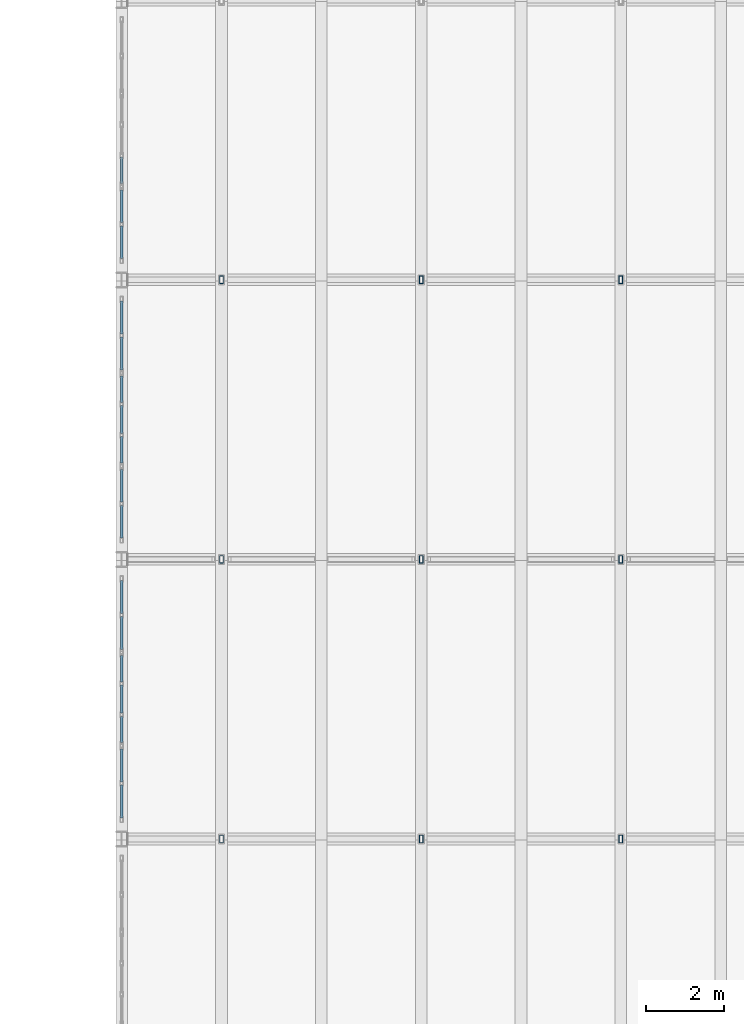
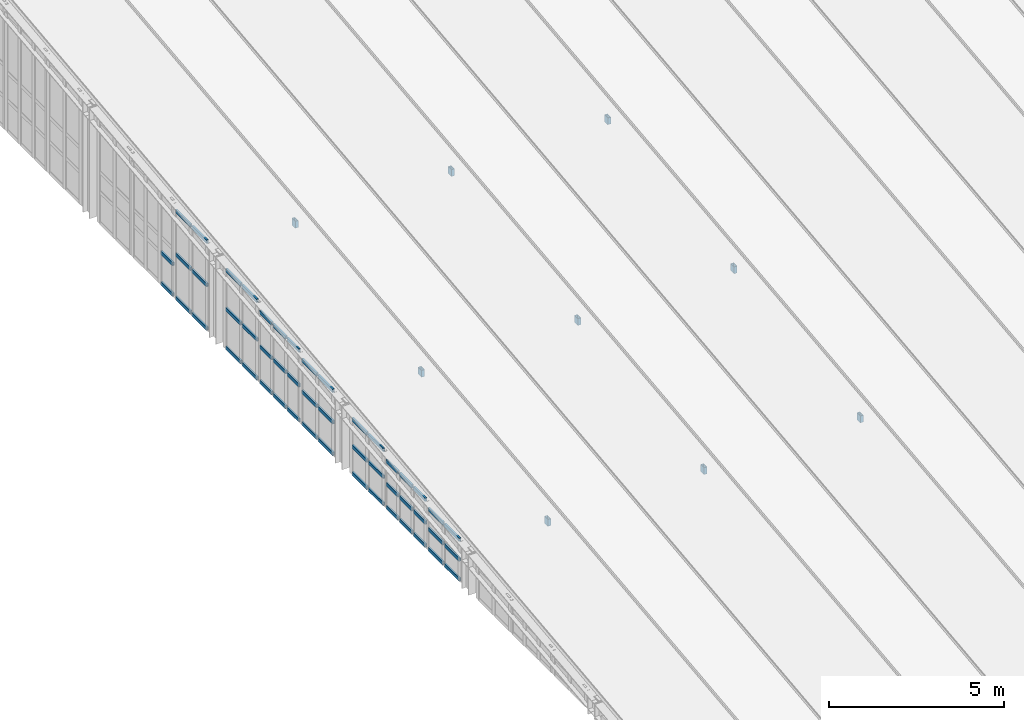
# One storey, part 22 of 48: 59 members, 8 elements without a shape of their own.
"""IFC4 building model written with IfcOpenShell, lengths in metres."""

from ifc_helpers import new_model, si_unit, direction, frame, origin, origin_2d, place, context, subcontext, project, spatial, hollow_rectangle, extrude, material, layer, layer_set, material_profile, profile_set, type_object, element, aggregate, save


model = new_model("IFC4")

# Units and contexts
model_context = context("Model", 3, precision=1e-05, world=origin(), true_north=direction((0.0, 1.0)))
body_context = subcontext(model_context, "Body", "Model", "MODEL_VIEW")
ifc_project = project(units=[si_unit("LENGTHUNIT", "METRE"), si_unit("AREAUNIT", "SQUARE_METRE"), si_unit("VOLUMEUNIT", "CUBIC_METRE"), si_unit("PLANEANGLEUNIT", "RADIAN"), si_unit("MASSUNIT", "GRAM", prefix="KILO"), si_unit("THERMODYNAMICTEMPERATUREUNIT", "KELVIN"), si_unit("POWERUNIT", "WATT")], contexts=[model_context])

# Site, building, storey
site_placement = place(None, origin())
site = spatial("IfcSite", under=ifc_project, at=site_placement, CompositionType="ELEMENT")
building_placement = place(site_placement, origin())
building = spatial("IfcBuilding", under=site, at=building_placement, Name="Kaldorven Railside Theatre", CompositionType="ELEMENT")
storey_placement = place(building_placement, frame((0.0, 0.0, 18.89990234375)))
storey = spatial("IfcBuildingStorey", under=building, at=storey_placement, Name="L04", CompositionType="ELEMENT", Elevation=18.89990234375)

# Curtain wall, members
ifc_material_1 = material(Name="Low-E laminated solar-control glass", Category="glass")
ifc_layer_1 = layer(ifc_material_1, 0.159912109375, Name="Low-E laminated solar-control glass")
ifc_layer_set_1 = layer_set([ifc_layer_1], Name="Low-E laminated solar-control glass")
curtain_wall_type_1 = type_object("IfcCurtainWallType", Name="CWT-29", PredefinedType="USERDEFINED", material=ifc_layer_set_1)
curtain_wall_1_placement = place(storey_placement, origin())
curtain_wall_1 = element("IfcCurtainWall", 1, at=curtain_wall_1_placement, inside=storey, type_object=curtain_wall_type_1, Name="Main Theatre West Eave Clerestory CWG-005", ObjectType="FLUTED GLAZING", PredefinedType="USERDEFINED")
ifc_material_2 = material(Name="Anodised bronze aluminium", Category="aluminium")
ifc_material_profile_1 = material_profile(ifc_material_2, hollow_rectangle(XDim=0.06005859375, YDim=0.1201171875, WallThickness=0.0048828125, at=origin_2d()), Name="RHS 120x60x5")
ifc_profile_set_1 = profile_set([ifc_material_profile_1], Name="Anodised bronze aluminium")
member_type_1 = type_object("IfcMemberType", Name="CWT-120", PredefinedType="USERDEFINED", material=ifc_profile_set_1)
member_1_placement = place(storey_placement, frame((87.199951171875, 55.7451171875, 0.050048828125), z_axis=(0.0, 1.0, 0.0), x_axis=(-1.0, 0.0, 0.0)))
member_1 = element("IfcMember", 2, at=member_1_placement, type_object=member_type_1, Name="CWG-005 transom 1.1", ObjectType="TRANSOM", PredefinedType="USERDEFINED", context=body_context, shape_type="SweptSolid", body=[
    extrude(hollow_rectangle(XDim=0.06005859375, YDim=0.1201171875, WallThickness=0.0048828125, at=origin_2d()), origin(), (0.0, 0.0, 1.0), 0.847412109375),
])
member_2_placement = place(storey_placement, frame((87.199951171875, 55.7451171875, 0.739990234375), z_axis=(0.0, 1.0, 0.0), x_axis=(-1.0, 0.0, 0.0)))
member_2 = element("IfcMember", 3, at=member_2_placement, type_object=member_type_1, Name="CWG-005 transom 1.2", ObjectType="TRANSOM", PredefinedType="USERDEFINED", context=body_context, shape_type="SweptSolid", body=[
    extrude(hollow_rectangle(XDim=0.06005859375, YDim=0.1201171875, WallThickness=0.0048828125, at=origin_2d()), origin(), (0.0, 0.0, 1.0), 0.847412109375),
])
member_3_placement = place(storey_placement, frame((87.199951171875, 55.7451171875, 1.43017578125), z_axis=(0.0, 1.0, 0.0), x_axis=(-1.0, 0.0, 0.0)))
member_3 = element("IfcMember", 4, at=member_3_placement, type_object=member_type_1, Name="CWG-005 transom 1.3", ObjectType="TRANSOM", PredefinedType="USERDEFINED", context=body_context, shape_type="SweptSolid", body=[
    extrude(hollow_rectangle(XDim=0.06005859375, YDim=0.1201171875, WallThickness=0.0048828125, at=origin_2d()), origin(), (0.0, 0.0, 1.0), 0.847412109375),
])
member_4_placement = place(storey_placement, frame((87.199951171875, 56.672607421875, 0.050048828125), z_axis=(0.0, 1.0, 0.0), x_axis=(-1.0, 0.0, 0.0)))
member_4 = element("IfcMember", 5, at=member_4_placement, type_object=member_type_1, Name="CWG-005 transom 2.1", ObjectType="TRANSOM", PredefinedType="USERDEFINED", context=body_context, shape_type="SweptSolid", body=[
    extrude(hollow_rectangle(XDim=0.06005859375, YDim=0.1201171875, WallThickness=0.0048828125, at=origin_2d()), origin(), (0.0, 0.0, 1.0), 0.847412109375),
])
member_5_placement = place(storey_placement, frame((87.199951171875, 56.672607421875, 0.739990234375), z_axis=(0.0, 1.0, 0.0), x_axis=(-1.0, 0.0, 0.0)))
member_5 = element("IfcMember", 6, at=member_5_placement, type_object=member_type_1, Name="CWG-005 transom 2.2", ObjectType="TRANSOM", PredefinedType="USERDEFINED", context=body_context, shape_type="SweptSolid", body=[
    extrude(hollow_rectangle(XDim=0.06005859375, YDim=0.1201171875, WallThickness=0.0048828125, at=origin_2d()), origin(), (0.0, 0.0, 1.0), 0.847412109375),
])
member_6_placement = place(storey_placement, frame((87.199951171875, 56.672607421875, 1.43017578125), z_axis=(0.0, 1.0, 0.0), x_axis=(-1.0, 0.0, 0.0)))
member_6 = element("IfcMember", 7, at=member_6_placement, type_object=member_type_1, Name="CWG-005 transom 2.3", ObjectType="TRANSOM", PredefinedType="USERDEFINED", context=body_context, shape_type="SweptSolid", body=[
    extrude(hollow_rectangle(XDim=0.06005859375, YDim=0.1201171875, WallThickness=0.0048828125, at=origin_2d()), origin(), (0.0, 0.0, 1.0), 0.847412109375),
])
aggregate(curtain_wall_1, [member_1, member_2, member_3, member_4, member_5, member_6])

ifc_layer_2 = layer(ifc_material_1, 0.159912109375, Name="Low-E laminated solar-control glass")
ifc_layer_set_2 = layer_set([ifc_layer_2], Name="Low-E laminated solar-control glass")
curtain_wall_type_2 = type_object("IfcCurtainWallType", Name="CWT-30", PredefinedType="USERDEFINED", material=ifc_layer_set_2)
curtain_wall_2_placement = place(storey_placement, origin())
curtain_wall_2 = element("IfcCurtainWall", 8, at=curtain_wall_2_placement, inside=storey, type_object=curtain_wall_type_2, Name="Main Theatre West Eave Clerestory CWG-006", ObjectType="FLUTED GLAZING", PredefinedType="USERDEFINED")
member_7_placement = place(storey_placement, frame((87.199951171875, 57.679931640625, 0.050048828125), z_axis=(0.0, 1.0, 0.0), x_axis=(-1.0, 0.0, 0.0)))
member_7 = element("IfcMember", 9, at=member_7_placement, type_object=member_type_1, Name="CWG-006 transom 1.1", ObjectType="TRANSOM", PredefinedType="USERDEFINED", context=body_context, shape_type="SweptSolid", body=[
    extrude(hollow_rectangle(XDim=0.06005859375, YDim=0.1201171875, WallThickness=0.0048828125, at=origin_2d()), origin(), (0.0, 0.0, 1.0), 0.68017578125),
])
member_8_placement = place(storey_placement, frame((87.199951171875, 57.679931640625, 0.85009765625), z_axis=(0.0, 1.0, 0.0), x_axis=(-1.0, 0.0, 0.0)))
member_8 = element("IfcMember", 10, at=member_8_placement, type_object=member_type_1, Name="CWG-006 transom 1.2", ObjectType="TRANSOM", PredefinedType="USERDEFINED", context=body_context, shape_type="SweptSolid", body=[
    extrude(hollow_rectangle(XDim=0.06005859375, YDim=0.1201171875, WallThickness=0.0048828125, at=origin_2d()), origin(), (0.0, 0.0, 1.0), 0.68017578125),
])
member_9_placement = place(storey_placement, frame((87.199951171875, 57.679931640625, 1.650146484375), z_axis=(0.0, 1.0, 0.0), x_axis=(-1.0, 0.0, 0.0)))
member_9 = element("IfcMember", 11, at=member_9_placement, type_object=member_type_1, Name="CWG-006 transom 1.3", ObjectType="TRANSOM", PredefinedType="USERDEFINED", context=body_context, shape_type="SweptSolid", body=[
    extrude(hollow_rectangle(XDim=0.06005859375, YDim=0.1201171875, WallThickness=0.0048828125, at=origin_2d()), origin(), (0.0, 0.0, 1.0), 0.68017578125),
])
member_10_placement = place(storey_placement, frame((87.199951171875, 58.43994140625, 0.050048828125), z_axis=(0.0, 1.0, 0.0), x_axis=(-1.0, 0.0, 0.0)))
member_10 = element("IfcMember", 12, at=member_10_placement, type_object=member_type_1, Name="CWG-006 transom 2.1", ObjectType="TRANSOM", PredefinedType="USERDEFINED", context=body_context, shape_type="SweptSolid", body=[
    extrude(hollow_rectangle(XDim=0.06005859375, YDim=0.1201171875, WallThickness=0.0048828125, at=origin_2d()), origin(), (0.0, 0.0, 1.0), 0.719970703125),
])
member_11_placement = place(storey_placement, frame((87.199951171875, 58.43994140625, 0.85009765625), z_axis=(0.0, 1.0, 0.0), x_axis=(-1.0, 0.0, 0.0)))
member_11 = element("IfcMember", 13, at=member_11_placement, type_object=member_type_1, Name="CWG-006 transom 2.2", ObjectType="TRANSOM", PredefinedType="USERDEFINED", context=body_context, shape_type="SweptSolid", body=[
    extrude(hollow_rectangle(XDim=0.06005859375, YDim=0.1201171875, WallThickness=0.0048828125, at=origin_2d()), origin(), (0.0, 0.0, 1.0), 0.719970703125),
])
member_12_placement = place(storey_placement, frame((87.199951171875, 58.43994140625, 1.650146484375), z_axis=(0.0, 1.0, 0.0), x_axis=(-1.0, 0.0, 0.0)))
member_12 = element("IfcMember", 14, at=member_12_placement, type_object=member_type_1, Name="CWG-006 transom 2.3", ObjectType="TRANSOM", PredefinedType="USERDEFINED", context=body_context, shape_type="SweptSolid", body=[
    extrude(hollow_rectangle(XDim=0.06005859375, YDim=0.1201171875, WallThickness=0.0048828125, at=origin_2d()), origin(), (0.0, 0.0, 1.0), 0.719970703125),
])
member_13_placement = place(storey_placement, frame((87.199951171875, 59.239990234375, 0.050048828125), z_axis=(0.0, 1.0, 0.0), x_axis=(-1.0, 0.0, 0.0)))
member_13 = element("IfcMember", 15, at=member_13_placement, type_object=member_type_1, Name="CWG-006 transom 3.1", ObjectType="TRANSOM", PredefinedType="USERDEFINED", context=body_context, shape_type="SweptSolid", body=[
    extrude(hollow_rectangle(XDim=0.06005859375, YDim=0.1201171875, WallThickness=0.0048828125, at=origin_2d()), origin(), (0.0, 0.0, 1.0), 0.679931640625),
])
member_14_placement = place(storey_placement, frame((87.199951171875, 59.239990234375, 0.85009765625), z_axis=(0.0, 1.0, 0.0), x_axis=(-1.0, 0.0, 0.0)))
member_14 = element("IfcMember", 16, at=member_14_placement, type_object=member_type_1, Name="CWG-006 transom 3.2", ObjectType="TRANSOM", PredefinedType="USERDEFINED", context=body_context, shape_type="SweptSolid", body=[
    extrude(hollow_rectangle(XDim=0.06005859375, YDim=0.1201171875, WallThickness=0.0048828125, at=origin_2d()), origin(), (0.0, 0.0, 1.0), 0.679931640625),
])
member_15_placement = place(storey_placement, frame((87.199951171875, 59.239990234375, 1.650146484375), z_axis=(0.0, 1.0, 0.0), x_axis=(-1.0, 0.0, 0.0)))
member_15 = element("IfcMember", 17, at=member_15_placement, type_object=member_type_1, Name="CWG-006 transom 3.3", ObjectType="TRANSOM", PredefinedType="USERDEFINED", context=body_context, shape_type="SweptSolid", body=[
    extrude(hollow_rectangle(XDim=0.06005859375, YDim=0.1201171875, WallThickness=0.0048828125, at=origin_2d()), origin(), (0.0, 0.0, 1.0), 0.679931640625),
])
aggregate(curtain_wall_2, [member_7, member_8, member_9, member_10, member_11, member_12, member_13, member_14, member_15])

ifc_layer_3 = layer(ifc_material_1, 0.159912109375, Name="Low-E laminated solar-control glass")
ifc_layer_set_3 = layer_set([ifc_layer_3], Name="Low-E laminated solar-control glass")
curtain_wall_type_3 = type_object("IfcCurtainWallType", Name="CWT-31", PredefinedType="USERDEFINED", material=ifc_layer_set_3)
curtain_wall_3_placement = place(storey_placement, origin())
curtain_wall_3 = element("IfcCurtainWall", 18, at=curtain_wall_3_placement, inside=storey, type_object=curtain_wall_type_3, Name="Main Theatre West Eave Clerestory CWG-007", ObjectType="FLUTED GLAZING", PredefinedType="USERDEFINED")
member_16_placement = place(storey_placement, frame((87.199951171875, 60.080078125, 0.050048828125), z_axis=(0.0, 1.0, 0.0), x_axis=(-1.0, 0.0, 0.0)))
member_16 = element("IfcMember", 19, at=member_16_placement, type_object=member_type_1, Name="CWG-007 transom 1.1", ObjectType="TRANSOM", PredefinedType="USERDEFINED", context=body_context, shape_type="SweptSolid", body=[
    extrude(hollow_rectangle(XDim=0.06005859375, YDim=0.1201171875, WallThickness=0.0048828125, at=origin_2d()), origin(), (0.0, 0.0, 1.0), 0.847412109375),
])
member_17_placement = place(storey_placement, frame((87.199951171875, 60.080078125, 0.989990234375), z_axis=(0.0, 1.0, 0.0), x_axis=(-1.0, 0.0, 0.0)))
member_17 = element("IfcMember", 20, at=member_17_placement, type_object=member_type_1, Name="CWG-007 transom 1.2", ObjectType="TRANSOM", PredefinedType="USERDEFINED", context=body_context, shape_type="SweptSolid", body=[
    extrude(hollow_rectangle(XDim=0.06005859375, YDim=0.1201171875, WallThickness=0.0048828125, at=origin_2d()), origin(), (0.0, 0.0, 1.0), 0.847412109375),
])
member_18_placement = place(storey_placement, frame((87.199951171875, 60.080078125, 1.93017578125), z_axis=(0.0, 1.0, 0.0), x_axis=(-1.0, 0.0, 0.0)))
member_18 = element("IfcMember", 21, at=member_18_placement, type_object=member_type_1, Name="CWG-007 transom 1.3", ObjectType="TRANSOM", PredefinedType="USERDEFINED", context=body_context, shape_type="SweptSolid", body=[
    extrude(hollow_rectangle(XDim=0.06005859375, YDim=0.1201171875, WallThickness=0.0048828125, at=origin_2d()), origin(), (0.0, 0.0, 1.0), 0.847412109375),
])
member_19_placement = place(storey_placement, frame((87.199951171875, 61.007568359375, 0.050048828125), z_axis=(0.0, 1.0, 0.0), x_axis=(-1.0, 0.0, 0.0)))
member_19 = element("IfcMember", 22, at=member_19_placement, type_object=member_type_1, Name="CWG-007 transom 2.1", ObjectType="TRANSOM", PredefinedType="USERDEFINED", context=body_context, shape_type="SweptSolid", body=[
    extrude(hollow_rectangle(XDim=0.06005859375, YDim=0.1201171875, WallThickness=0.0048828125, at=origin_2d()), origin(), (0.0, 0.0, 1.0), 0.847412109375),
])
member_20_placement = place(storey_placement, frame((87.199951171875, 61.007568359375, 0.989990234375), z_axis=(0.0, 1.0, 0.0), x_axis=(-1.0, 0.0, 0.0)))
member_20 = element("IfcMember", 23, at=member_20_placement, type_object=member_type_1, Name="CWG-007 transom 2.2", ObjectType="TRANSOM", PredefinedType="USERDEFINED", context=body_context, shape_type="SweptSolid", body=[
    extrude(hollow_rectangle(XDim=0.06005859375, YDim=0.1201171875, WallThickness=0.0048828125, at=origin_2d()), origin(), (0.0, 0.0, 1.0), 0.847412109375),
])
member_21_placement = place(storey_placement, frame((87.199951171875, 61.007568359375, 1.93017578125), z_axis=(0.0, 1.0, 0.0), x_axis=(-1.0, 0.0, 0.0)))
member_21 = element("IfcMember", 24, at=member_21_placement, type_object=member_type_1, Name="CWG-007 transom 2.3", ObjectType="TRANSOM", PredefinedType="USERDEFINED", context=body_context, shape_type="SweptSolid", body=[
    extrude(hollow_rectangle(XDim=0.06005859375, YDim=0.1201171875, WallThickness=0.0048828125, at=origin_2d()), origin(), (0.0, 0.0, 1.0), 0.847412109375),
])
aggregate(curtain_wall_3, [member_16, member_17, member_18, member_19, member_20, member_21])

ifc_layer_4 = layer(ifc_material_1, 0.159912109375, Name="Low-E laminated solar-control glass")
ifc_layer_set_4 = layer_set([ifc_layer_4], Name="Low-E laminated solar-control glass")
curtain_wall_type_4 = type_object("IfcCurtainWallType", Name="CWT-32", PredefinedType="USERDEFINED", material=ifc_layer_set_4)
curtain_wall_4_placement = place(storey_placement, origin())
curtain_wall_4 = element("IfcCurtainWall", 25, at=curtain_wall_4_placement, inside=storey, type_object=curtain_wall_type_4, Name="Main Theatre West Eave Clerestory CWG-008", ObjectType="FLUTED GLAZING", PredefinedType="USERDEFINED")
member_22_placement = place(storey_placement, frame((87.199951171875, 62.945068359375, 0.050048828125), z_axis=(0.0, 1.0, 0.0), x_axis=(-1.0, 0.0, 0.0)))
member_22 = element("IfcMember", 26, at=member_22_placement, type_object=member_type_1, Name="CWG-008 transom 1.1", ObjectType="TRANSOM", PredefinedType="USERDEFINED", context=body_context, shape_type="SweptSolid", body=[
    extrude(hollow_rectangle(XDim=0.06005859375, YDim=0.1201171875, WallThickness=0.0048828125, at=origin_2d()), origin(), (0.0, 0.0, 1.0), 0.847412109375),
])
member_23_placement = place(storey_placement, frame((87.199951171875, 62.945068359375, 1.150146484375), z_axis=(0.0, 1.0, 0.0), x_axis=(-1.0, 0.0, 0.0)))
member_23 = element("IfcMember", 27, at=member_23_placement, type_object=member_type_1, Name="CWG-008 transom 1.2", ObjectType="TRANSOM", PredefinedType="USERDEFINED", context=body_context, shape_type="SweptSolid", body=[
    extrude(hollow_rectangle(XDim=0.06005859375, YDim=0.1201171875, WallThickness=0.0048828125, at=origin_2d()), origin(), (0.0, 0.0, 1.0), 0.847412109375),
])
member_24_placement = place(storey_placement, frame((87.199951171875, 62.945068359375, 2.25), z_axis=(0.0, 1.0, 0.0), x_axis=(-1.0, 0.0, 0.0)))
member_24 = element("IfcMember", 28, at=member_24_placement, type_object=member_type_1, Name="CWG-008 transom 1.3", ObjectType="TRANSOM", PredefinedType="USERDEFINED", context=body_context, shape_type="SweptSolid", body=[
    extrude(hollow_rectangle(XDim=0.06005859375, YDim=0.1201171875, WallThickness=0.0048828125, at=origin_2d()), origin(), (0.0, 0.0, 1.0), 0.847412109375),
])
member_25_placement = place(storey_placement, frame((87.199951171875, 63.87255859375, 0.050048828125), z_axis=(0.0, 1.0, 0.0), x_axis=(-1.0, 0.0, 0.0)))
member_25 = element("IfcMember", 29, at=member_25_placement, type_object=member_type_1, Name="CWG-008 transom 2.1", ObjectType="TRANSOM", PredefinedType="USERDEFINED", context=body_context, shape_type="SweptSolid", body=[
    extrude(hollow_rectangle(XDim=0.06005859375, YDim=0.1201171875, WallThickness=0.0048828125, at=origin_2d()), origin(), (0.0, 0.0, 1.0), 0.847412109375),
])
member_26_placement = place(storey_placement, frame((87.199951171875, 63.87255859375, 1.150146484375), z_axis=(0.0, 1.0, 0.0), x_axis=(-1.0, 0.0, 0.0)))
member_26 = element("IfcMember", 30, at=member_26_placement, type_object=member_type_1, Name="CWG-008 transom 2.2", ObjectType="TRANSOM", PredefinedType="USERDEFINED", context=body_context, shape_type="SweptSolid", body=[
    extrude(hollow_rectangle(XDim=0.06005859375, YDim=0.1201171875, WallThickness=0.0048828125, at=origin_2d()), origin(), (0.0, 0.0, 1.0), 0.847412109375),
])
member_27_placement = place(storey_placement, frame((87.199951171875, 63.87255859375, 2.25), z_axis=(0.0, 1.0, 0.0), x_axis=(-1.0, 0.0, 0.0)))
member_27 = element("IfcMember", 31, at=member_27_placement, type_object=member_type_1, Name="CWG-008 transom 2.3", ObjectType="TRANSOM", PredefinedType="USERDEFINED", context=body_context, shape_type="SweptSolid", body=[
    extrude(hollow_rectangle(XDim=0.06005859375, YDim=0.1201171875, WallThickness=0.0048828125, at=origin_2d()), origin(), (0.0, 0.0, 1.0), 0.847412109375),
])
aggregate(curtain_wall_4, [member_22, member_23, member_24, member_25, member_26, member_27])

ifc_layer_5 = layer(ifc_material_1, 0.159912109375, Name="Low-E laminated solar-control glass")
ifc_layer_set_5 = layer_set([ifc_layer_5], Name="Low-E laminated solar-control glass")
curtain_wall_type_5 = type_object("IfcCurtainWallType", Name="CWT-33", PredefinedType="USERDEFINED", material=ifc_layer_set_5)
curtain_wall_5_placement = place(storey_placement, origin())
curtain_wall_5 = element("IfcCurtainWall", 32, at=curtain_wall_5_placement, inside=storey, type_object=curtain_wall_type_5, Name="Main Theatre West Eave Clerestory CWG-009", ObjectType="FLUTED GLAZING", PredefinedType="USERDEFINED")
member_28_placement = place(storey_placement, frame((87.199951171875, 64.8798828125, 0.050048828125), z_axis=(0.0, 1.0, 0.0), x_axis=(-1.0, 0.0, 0.0)))
member_28 = element("IfcMember", 33, at=member_28_placement, type_object=member_type_1, Name="CWG-009 transom 1.1", ObjectType="TRANSOM", PredefinedType="USERDEFINED", context=body_context, shape_type="SweptSolid", body=[
    extrude(hollow_rectangle(XDim=0.06005859375, YDim=0.1201171875, WallThickness=0.0048828125, at=origin_2d()), origin(), (0.0, 0.0, 1.0), 0.68017578125),
])
member_29_placement = place(storey_placement, frame((87.199951171875, 64.8798828125, 1.260009765625), z_axis=(0.0, 1.0, 0.0), x_axis=(-1.0, 0.0, 0.0)))
member_29 = element("IfcMember", 34, at=member_29_placement, type_object=member_type_1, Name="CWG-009 transom 1.2", ObjectType="TRANSOM", PredefinedType="USERDEFINED", context=body_context, shape_type="SweptSolid", body=[
    extrude(hollow_rectangle(XDim=0.06005859375, YDim=0.1201171875, WallThickness=0.0048828125, at=origin_2d()), origin(), (0.0, 0.0, 1.0), 0.68017578125),
])
member_30_placement = place(storey_placement, frame((87.199951171875, 64.8798828125, 2.47021484375), z_axis=(0.0, 1.0, 0.0), x_axis=(-1.0, 0.0, 0.0)))
member_30 = element("IfcMember", 35, at=member_30_placement, type_object=member_type_1, Name="CWG-009 transom 1.3", ObjectType="TRANSOM", PredefinedType="USERDEFINED", context=body_context, shape_type="SweptSolid", body=[
    extrude(hollow_rectangle(XDim=0.06005859375, YDim=0.1201171875, WallThickness=0.0048828125, at=origin_2d()), origin(), (0.0, 0.0, 1.0), 0.68017578125),
])
member_31_placement = place(storey_placement, frame((87.199951171875, 65.639892578125, 0.050048828125), z_axis=(0.0, 1.0, 0.0), x_axis=(-1.0, 0.0, 0.0)))
member_31 = element("IfcMember", 36, at=member_31_placement, type_object=member_type_1, Name="CWG-009 transom 2.1", ObjectType="TRANSOM", PredefinedType="USERDEFINED", context=body_context, shape_type="SweptSolid", body=[
    extrude(hollow_rectangle(XDim=0.06005859375, YDim=0.1201171875, WallThickness=0.0048828125, at=origin_2d()), origin(), (0.0, 0.0, 1.0), 0.72021484375),
])
member_32_placement = place(storey_placement, frame((87.199951171875, 65.639892578125, 1.260009765625), z_axis=(0.0, 1.0, 0.0), x_axis=(-1.0, 0.0, 0.0)))
member_32 = element("IfcMember", 37, at=member_32_placement, type_object=member_type_1, Name="CWG-009 transom 2.2", ObjectType="TRANSOM", PredefinedType="USERDEFINED", context=body_context, shape_type="SweptSolid", body=[
    extrude(hollow_rectangle(XDim=0.06005859375, YDim=0.1201171875, WallThickness=0.0048828125, at=origin_2d()), origin(), (0.0, 0.0, 1.0), 0.72021484375),
])
member_33_placement = place(storey_placement, frame((87.199951171875, 65.639892578125, 2.47021484375), z_axis=(0.0, 1.0, 0.0), x_axis=(-1.0, 0.0, 0.0)))
member_33 = element("IfcMember", 38, at=member_33_placement, type_object=member_type_1, Name="CWG-009 transom 2.3", ObjectType="TRANSOM", PredefinedType="USERDEFINED", context=body_context, shape_type="SweptSolid", body=[
    extrude(hollow_rectangle(XDim=0.06005859375, YDim=0.1201171875, WallThickness=0.0048828125, at=origin_2d()), origin(), (0.0, 0.0, 1.0), 0.72021484375),
])
member_34_placement = place(storey_placement, frame((87.199951171875, 66.43994140625, 0.050048828125), z_axis=(0.0, 1.0, 0.0), x_axis=(-1.0, 0.0, 0.0)))
member_34 = element("IfcMember", 39, at=member_34_placement, type_object=member_type_1, Name="CWG-009 transom 3.1", ObjectType="TRANSOM", PredefinedType="USERDEFINED", context=body_context, shape_type="SweptSolid", body=[
    extrude(hollow_rectangle(XDim=0.06005859375, YDim=0.1201171875, WallThickness=0.0048828125, at=origin_2d()), origin(), (0.0, 0.0, 1.0), 0.68017578125),
])
member_35_placement = place(storey_placement, frame((87.199951171875, 66.43994140625, 1.260009765625), z_axis=(0.0, 1.0, 0.0), x_axis=(-1.0, 0.0, 0.0)))
member_35 = element("IfcMember", 40, at=member_35_placement, type_object=member_type_1, Name="CWG-009 transom 3.2", ObjectType="TRANSOM", PredefinedType="USERDEFINED", context=body_context, shape_type="SweptSolid", body=[
    extrude(hollow_rectangle(XDim=0.06005859375, YDim=0.1201171875, WallThickness=0.0048828125, at=origin_2d()), origin(), (0.0, 0.0, 1.0), 0.68017578125),
])
member_36_placement = place(storey_placement, frame((87.199951171875, 66.43994140625, 2.47021484375), z_axis=(0.0, 1.0, 0.0), x_axis=(-1.0, 0.0, 0.0)))
member_36 = element("IfcMember", 41, at=member_36_placement, type_object=member_type_1, Name="CWG-009 transom 3.3", ObjectType="TRANSOM", PredefinedType="USERDEFINED", context=body_context, shape_type="SweptSolid", body=[
    extrude(hollow_rectangle(XDim=0.06005859375, YDim=0.1201171875, WallThickness=0.0048828125, at=origin_2d()), origin(), (0.0, 0.0, 1.0), 0.68017578125),
])
aggregate(curtain_wall_5, [member_28, member_29, member_30, member_31, member_32, member_33, member_34, member_35, member_36])

ifc_layer_6 = layer(ifc_material_1, 0.159912109375, Name="Low-E laminated solar-control glass")
ifc_layer_set_6 = layer_set([ifc_layer_6], Name="Low-E laminated solar-control glass")
curtain_wall_type_6 = type_object("IfcCurtainWallType", Name="CWT-34", PredefinedType="USERDEFINED", material=ifc_layer_set_6)
curtain_wall_6_placement = place(storey_placement, origin())
curtain_wall_6 = element("IfcCurtainWall", 42, at=curtain_wall_6_placement, inside=storey, type_object=curtain_wall_type_6, Name="Main Theatre West Eave Clerestory CWG-010", ObjectType="FLUTED GLAZING", PredefinedType="USERDEFINED")
member_37_placement = place(storey_placement, frame((87.199951171875, 67.280029296875, 0.050048828125), z_axis=(0.0, 1.0, 0.0), x_axis=(-1.0, 0.0, 0.0)))
member_37 = element("IfcMember", 43, at=member_37_placement, type_object=member_type_1, Name="CWG-010 transom 1.1", ObjectType="TRANSOM", PredefinedType="USERDEFINED", context=body_context, shape_type="SweptSolid", body=[
    extrude(hollow_rectangle(XDim=0.06005859375, YDim=0.1201171875, WallThickness=0.0048828125, at=origin_2d()), origin(), (0.0, 0.0, 1.0), 0.847412109375),
])
member_38_placement = place(storey_placement, frame((87.199951171875, 67.280029296875, 1.400146484375), z_axis=(0.0, 1.0, 0.0), x_axis=(-1.0, 0.0, 0.0)))
member_38 = element("IfcMember", 44, at=member_38_placement, type_object=member_type_1, Name="CWG-010 transom 1.2", ObjectType="TRANSOM", PredefinedType="USERDEFINED", context=body_context, shape_type="SweptSolid", body=[
    extrude(hollow_rectangle(XDim=0.06005859375, YDim=0.1201171875, WallThickness=0.0048828125, at=origin_2d()), origin(), (0.0, 0.0, 1.0), 0.847412109375),
])
member_39_placement = place(storey_placement, frame((87.199951171875, 67.280029296875, 2.75), z_axis=(0.0, 1.0, 0.0), x_axis=(-1.0, 0.0, 0.0)))
member_39 = element("IfcMember", 45, at=member_39_placement, type_object=member_type_1, Name="CWG-010 transom 1.3", ObjectType="TRANSOM", PredefinedType="USERDEFINED", context=body_context, shape_type="SweptSolid", body=[
    extrude(hollow_rectangle(XDim=0.06005859375, YDim=0.1201171875, WallThickness=0.0048828125, at=origin_2d()), origin(), (0.0, 0.0, 1.0), 0.847412109375),
])
member_40_placement = place(storey_placement, frame((87.199951171875, 68.20751953125, 0.050048828125), z_axis=(0.0, 1.0, 0.0), x_axis=(-1.0, 0.0, 0.0)))
member_40 = element("IfcMember", 46, at=member_40_placement, type_object=member_type_1, Name="CWG-010 transom 2.1", ObjectType="TRANSOM", PredefinedType="USERDEFINED", context=body_context, shape_type="SweptSolid", body=[
    extrude(hollow_rectangle(XDim=0.06005859375, YDim=0.1201171875, WallThickness=0.0048828125, at=origin_2d()), origin(), (0.0, 0.0, 1.0), 0.847412109375),
])
member_41_placement = place(storey_placement, frame((87.199951171875, 68.20751953125, 1.400146484375), z_axis=(0.0, 1.0, 0.0), x_axis=(-1.0, 0.0, 0.0)))
member_41 = element("IfcMember", 47, at=member_41_placement, type_object=member_type_1, Name="CWG-010 transom 2.2", ObjectType="TRANSOM", PredefinedType="USERDEFINED", context=body_context, shape_type="SweptSolid", body=[
    extrude(hollow_rectangle(XDim=0.06005859375, YDim=0.1201171875, WallThickness=0.0048828125, at=origin_2d()), origin(), (0.0, 0.0, 1.0), 0.847412109375),
])
member_42_placement = place(storey_placement, frame((87.199951171875, 68.20751953125, 2.75), z_axis=(0.0, 1.0, 0.0), x_axis=(-1.0, 0.0, 0.0)))
member_42 = element("IfcMember", 48, at=member_42_placement, type_object=member_type_1, Name="CWG-010 transom 2.3", ObjectType="TRANSOM", PredefinedType="USERDEFINED", context=body_context, shape_type="SweptSolid", body=[
    extrude(hollow_rectangle(XDim=0.06005859375, YDim=0.1201171875, WallThickness=0.0048828125, at=origin_2d()), origin(), (0.0, 0.0, 1.0), 0.847412109375),
])
aggregate(curtain_wall_6, [member_37, member_38, member_39, member_40, member_41, member_42])

ifc_layer_7 = layer(ifc_material_1, 0.159912109375, Name="Low-E laminated solar-control glass")
ifc_layer_set_7 = layer_set([ifc_layer_7], Name="Low-E laminated solar-control glass")
curtain_wall_type_7 = type_object("IfcCurtainWallType", Name="CWT-35", PredefinedType="USERDEFINED", material=ifc_layer_set_7)
curtain_wall_7_placement = place(storey_placement, origin())
curtain_wall_7 = element("IfcCurtainWall", 49, at=curtain_wall_7_placement, inside=storey, type_object=curtain_wall_type_7, Name="Main Theatre West Eave Clerestory CWG-011", ObjectType="FLUTED GLAZING", PredefinedType="USERDEFINED")
member_43_placement = place(storey_placement, frame((87.199951171875, 70.14501953125, 0.050048828125), z_axis=(0.0, 1.0, 0.0), x_axis=(-1.0, 0.0, 0.0)))
member_43 = element("IfcMember", 50, at=member_43_placement, type_object=member_type_1, Name="CWG-011 transom 1.1", ObjectType="TRANSOM", PredefinedType="USERDEFINED", context=body_context, shape_type="SweptSolid", body=[
    extrude(hollow_rectangle(XDim=0.06005859375, YDim=0.1201171875, WallThickness=0.0048828125, at=origin_2d()), origin(), (0.0, 0.0, 1.0), 0.847412109375),
])
member_44_placement = place(storey_placement, frame((87.199951171875, 70.14501953125, 1.56005859375), z_axis=(0.0, 1.0, 0.0), x_axis=(-1.0, 0.0, 0.0)))
member_44 = element("IfcMember", 51, at=member_44_placement, type_object=member_type_1, Name="CWG-011 transom 1.2", ObjectType="TRANSOM", PredefinedType="USERDEFINED", context=body_context, shape_type="SweptSolid", body=[
    extrude(hollow_rectangle(XDim=0.06005859375, YDim=0.1201171875, WallThickness=0.0048828125, at=origin_2d()), origin(), (0.0, 0.0, 1.0), 0.847412109375),
])
member_45_placement = place(storey_placement, frame((87.199951171875, 70.14501953125, 3.070068359375), z_axis=(0.0, 1.0, 0.0), x_axis=(-1.0, 0.0, 0.0)))
member_45 = element("IfcMember", 52, at=member_45_placement, type_object=member_type_1, Name="CWG-011 transom 1.3", ObjectType="TRANSOM", PredefinedType="USERDEFINED", context=body_context, shape_type="SweptSolid", body=[
    extrude(hollow_rectangle(XDim=0.06005859375, YDim=0.1201171875, WallThickness=0.0048828125, at=origin_2d()), origin(), (0.0, 0.0, 1.0), 0.847412109375),
])
member_46_placement = place(storey_placement, frame((87.199951171875, 71.072509765625, 0.050048828125), z_axis=(0.0, 1.0, 0.0), x_axis=(-1.0, 0.0, 0.0)))
member_46 = element("IfcMember", 53, at=member_46_placement, type_object=member_type_1, Name="CWG-011 transom 2.1", ObjectType="TRANSOM", PredefinedType="USERDEFINED", context=body_context, shape_type="SweptSolid", body=[
    extrude(hollow_rectangle(XDim=0.06005859375, YDim=0.1201171875, WallThickness=0.0048828125, at=origin_2d()), origin(), (0.0, 0.0, 1.0), 0.847412109375),
])
member_47_placement = place(storey_placement, frame((87.199951171875, 71.072509765625, 1.56005859375), z_axis=(0.0, 1.0, 0.0), x_axis=(-1.0, 0.0, 0.0)))
member_47 = element("IfcMember", 54, at=member_47_placement, type_object=member_type_1, Name="CWG-011 transom 2.2", ObjectType="TRANSOM", PredefinedType="USERDEFINED", context=body_context, shape_type="SweptSolid", body=[
    extrude(hollow_rectangle(XDim=0.06005859375, YDim=0.1201171875, WallThickness=0.0048828125, at=origin_2d()), origin(), (0.0, 0.0, 1.0), 0.847412109375),
])
member_48_placement = place(storey_placement, frame((87.199951171875, 71.072509765625, 3.070068359375), z_axis=(0.0, 1.0, 0.0), x_axis=(-1.0, 0.0, 0.0)))
member_48 = element("IfcMember", 55, at=member_48_placement, type_object=member_type_1, Name="CWG-011 transom 2.3", ObjectType="TRANSOM", PredefinedType="USERDEFINED", context=body_context, shape_type="SweptSolid", body=[
    extrude(hollow_rectangle(XDim=0.06005859375, YDim=0.1201171875, WallThickness=0.0048828125, at=origin_2d()), origin(), (0.0, 0.0, 1.0), 0.847412109375),
])
aggregate(curtain_wall_7, [member_43, member_44, member_45, member_46, member_47, member_48])

ifc_layer_8 = layer(ifc_material_1, 0.159912109375, Name="Low-E laminated solar-control glass")
ifc_layer_set_8 = layer_set([ifc_layer_8], Name="Low-E laminated solar-control glass")
curtain_wall_type_8 = type_object("IfcCurtainWallType", Name="CWT-36", PredefinedType="USERDEFINED", material=ifc_layer_set_8)
curtain_wall_8_placement = place(storey_placement, origin())
curtain_wall_8 = element("IfcCurtainWall", 56, at=curtain_wall_8_placement, inside=storey, type_object=curtain_wall_type_8, Name="Main Theatre West Eave Clerestory CWG-012", ObjectType="FLUTED GLAZING", PredefinedType="USERDEFINED")
member_49_placement = place(storey_placement, frame((87.199951171875, 72.080078125, 0.050048828125), z_axis=(0.0, 1.0, 0.0), x_axis=(-1.0, 0.0, 0.0)))
member_49 = element("IfcMember", 57, at=member_49_placement, type_object=member_type_1, Name="CWG-012 transom 1.1", ObjectType="TRANSOM", PredefinedType="USERDEFINED", context=body_context, shape_type="SweptSolid", body=[
    extrude(hollow_rectangle(XDim=0.06005859375, YDim=0.1201171875, WallThickness=0.0048828125, at=origin_2d()), origin(), (0.0, 0.0, 1.0), 0.679931640625),
])
member_50_placement = place(storey_placement, frame((87.199951171875, 72.080078125, 1.1201171875), z_axis=(0.0, 1.0, 0.0), x_axis=(-1.0, 0.0, 0.0)))
member_50 = element("IfcMember", 58, at=member_50_placement, type_object=member_type_1, Name="CWG-012 transom 1.2", ObjectType="TRANSOM", PredefinedType="USERDEFINED", context=body_context, shape_type="SweptSolid", body=[
    extrude(hollow_rectangle(XDim=0.06005859375, YDim=0.1201171875, WallThickness=0.0048828125, at=origin_2d()), origin(), (0.0, 0.0, 1.0), 0.679931640625),
])
aggregate(curtain_wall_8, [member_49, member_50])

# Members
ifc_material_3 = material(Name="Steel S355", Category="steel")
ifc_material_profile_2 = material_profile(ifc_material_3, hollow_rectangle(XDim=0.10009765625, YDim=0.199951171875, WallThickness=0.008056640625, at=origin_2d()), Name="RHS 200x100x8")
ifc_profile_set_2 = profile_set([ifc_material_profile_2], Name="Steel S355")
member_type_2 = type_object("IfcMemberType", Name="MEM-RHS200", PredefinedType="STRUT", material=ifc_profile_set_2)
for number, where, z_axis, x_axis, name in (
    (59, (89.771484375, 55.199951171875, 1.40380859375), (0.0, 0.0, 1.0), (1.0, 0.0, 0.0), "V1 Folded-Roof King-Post Strut STR-007"),
    (60, (89.771484375, 62.39990234375, 2.223876953125), (0.0, 0.0, 1.0), (1.0, 0.0, 0.0), "V1 Folded-Roof King-Post Strut STR-008"),
    (61, (89.771484375, 69.60009765625, 3.043701171875), (0.0, 0.0, 1.0), (1.0, 0.0, 0.0), "V1 Folded-Roof King-Post Strut STR-009"),
    (62, (94.914306640625, 55.199951171875, 1.40380859375), (0.0, 0.0, 1.0), (1.0, 0.0, 0.0), "V1 Folded-Roof King-Post Strut STR-012"),
    (63, (94.914306640625, 62.39990234375, 2.223876953125), (0.0, 0.0, 1.0), (1.0, 0.0, 0.0), "V1 Folded-Roof King-Post Strut STR-013"),
    (64, (94.914306640625, 69.60009765625, 3.043701171875), (0.0, 0.0, 1.0), (1.0, 0.0, 0.0), "V1 Folded-Roof King-Post Strut STR-014"),
    (65, (100.05712890625, 55.199951171875, 1.40380859375), (0.0, 0.0, 1.0), (1.0, 0.0, 0.0), "V1 Folded-Roof King-Post Strut STR-017"),
    (66, (100.05712890625, 62.39990234375, 2.223876953125), (0.0, 0.0, 1.0), (1.0, 0.0, 0.0), "V1 Folded-Roof King-Post Strut STR-018"),
    (67, (100.05712890625, 69.60009765625, 3.043701171875), (0.0, 0.0, 1.0), (1.0, 0.0, 0.0), "V1 Folded-Roof King-Post Strut STR-019"),
):
    element("IfcMember", number, at=place(storey_placement, frame(where, z_axis=z_axis, x_axis=x_axis)), inside=storey, type_object=member_type_2, Name=name, PredefinedType="STRUT", context=body_context, shape_type="SweptSolid", body=[
        extrude(hollow_rectangle(XDim=0.10009765625, YDim=0.199951171875, WallThickness=0.008056640625, at=origin_2d()), origin(), (0.0, 0.0, 1.0), 0.235595703125),
    ])

save(model, "model.ifc")
